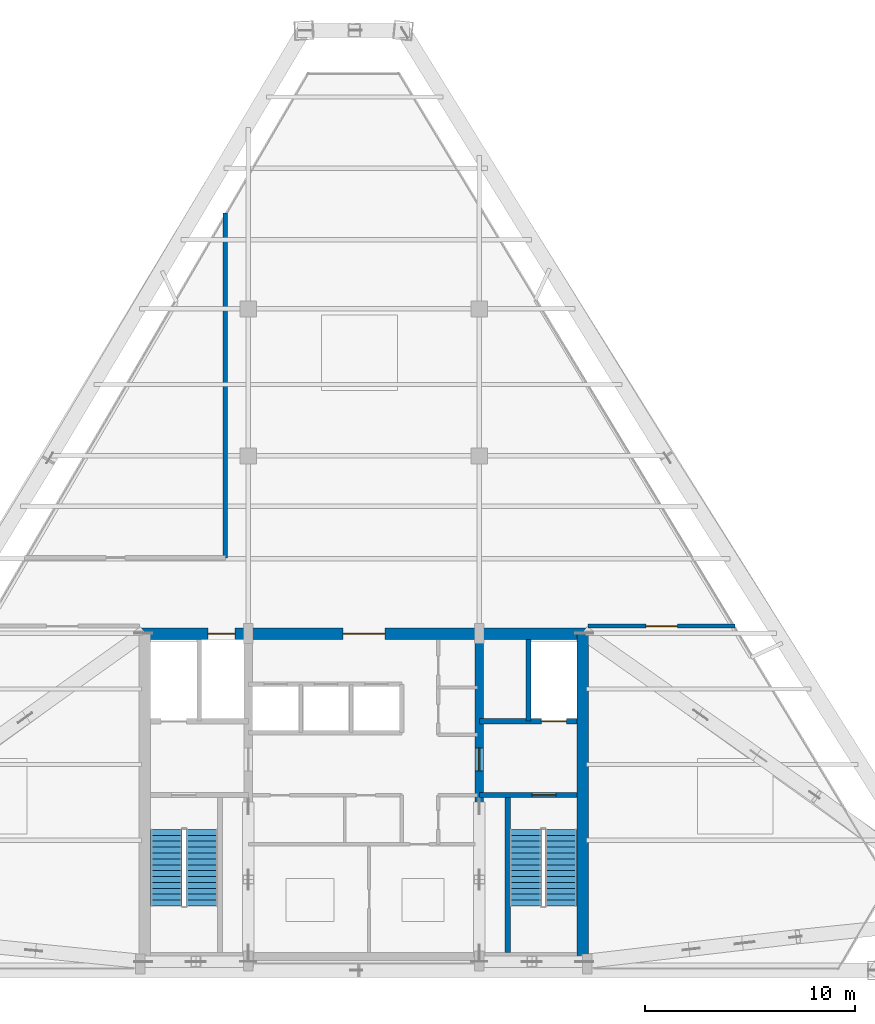
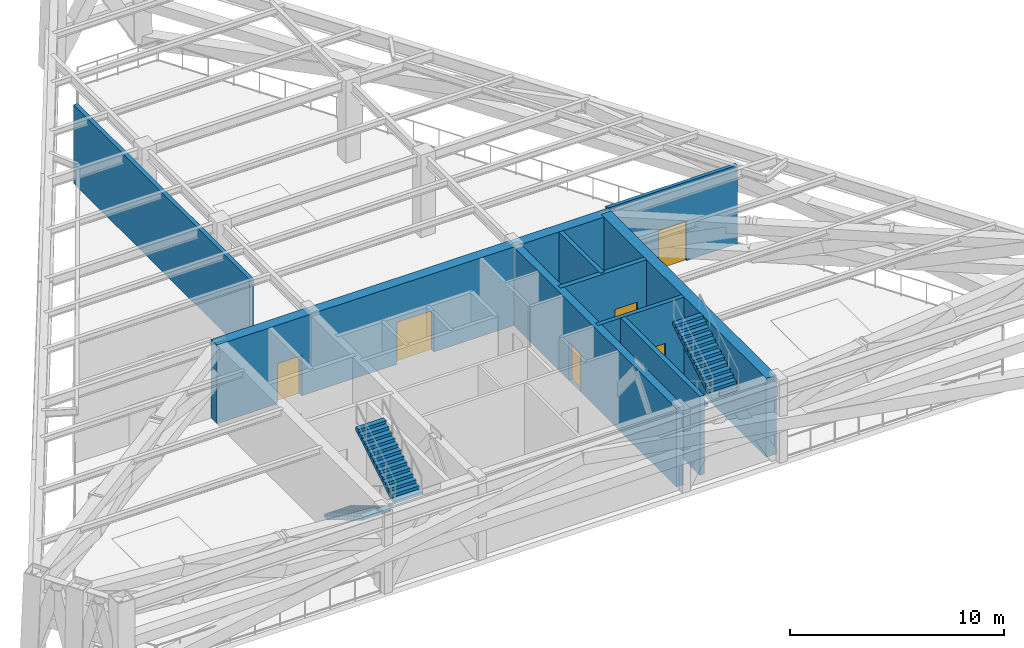
# One storey, part 7 of 9: 9 walls, 6 doors, 4 stair flights, 6 openings, 2 elements without a shape of their own.
"""IFC4 building model written with IfcOpenShell, lengths in metres."""

from ifc_helpers import new_model, si_unit, direction, frame, frame_2d, origin, place, context, subcontext, project, spatial, polyline, rectangle, outline, extrude, source, transform, mapped, material, layer, layer_set, type_object, type_shapes, element, fill, aggregate, save


model = new_model("IFC4")

# Units and contexts
model_context = context("Model", 3, precision=1e-05, world=origin(), true_north=direction((0.0, 1.0)))
body_context = subcontext(model_context, "Body", "Model", "MODEL_VIEW")
ifc_project = project(units=[si_unit("LENGTHUNIT", "METRE"), si_unit("AREAUNIT", "SQUARE_METRE"), si_unit("VOLUMEUNIT", "CUBIC_METRE"), si_unit("PLANEANGLEUNIT", "RADIAN"), si_unit("MASSUNIT", "GRAM", prefix="KILO")], contexts=[model_context])

# Site, building, storey
site_placement = place(None, origin())
site = spatial("IfcSite", under=ifc_project, at=site_placement, CompositionType="ELEMENT")
building_placement = place(site_placement, origin())
building = spatial("IfcBuilding", under=site, at=building_placement, Name="Varnakhor Terracotta Tower", CompositionType="ELEMENT")
storey_placement = place(building_placement, frame((0.0, 0.0, 257.949951171875)))
storey = spatial("IfcBuildingStorey", under=building, at=storey_placement, Name="L67", CompositionType="ELEMENT", Elevation=257.949951171875)

# Wall, openings, doors
ifc_material_1 = material(Name="Concrete C50/60", Category="concrete")
ifc_layer_1 = layer(ifc_material_1, 0.550048828125, Name="Concrete C50/60")
ifc_layer_set_1 = layer_set([ifc_layer_1], Name="Concrete C50/60")
wall_type_1 = type_object("IfcWallType", Name="WAL-CORE-550", PredefinedType="SHEAR", material=ifc_layer_set_1)
wall_1_placement = place(storey_placement, frame((-10.699951171875, 16.02490234375, 0.0), z_axis=(0.0, 0.0, 1.0), x_axis=(1.0, 0.0, 0.0)))
wall_1 = element("IfcWall", 1, at=wall_1_placement, inside=storey, type_object=wall_type_1, Name="L67 North Core Shear Wall", PredefinedType="SHEAR", context=body_context, shape_type="SweptSolid", body=[
    extrude(rectangle(XDim=21.39990234375, YDim=0.550048828125, at=frame_2d((10.699951171875, 0.0))), origin(), (0.0, 0.0, 1.0), 4.489990234375),
])
opening_1_placement = place(wall_1_placement, frame((3.27001953125, 0.0, 0.0)))
opening_1 = element("IfcOpeningElement", 2, at=opening_1_placement, cuts=wall_1, Name="Opening LD-03", PredefinedType="OPENING", context=body_context, shape_type="SweptSolid", body=[
    extrude(rectangle(XDim=1.300048828125, YDim=2.300048828125, at=frame_2d((0.64990234375, 1.14990234375))), frame((0.0, 0.28515625, 0.0), z_axis=(0.0, -1.0, 0.0), x_axis=(1.0, 0.0, 0.0)), (0.0, 0.0, 1.0), 0.570068359375),
])
opening_2_placement = place(wall_1_placement, frame((9.699951171875, 0.0, 0.0)))
opening_2 = element("IfcOpeningElement", 3, at=opening_2_placement, cuts=wall_1, Name="Opening DR-32", PredefinedType="OPENING", context=body_context, shape_type="SweptSolid", body=[
    extrude(rectangle(XDim=2.0, YDim=2.39990234375, at=frame_2d((1.0, 1.199951171875))), frame((0.0, 0.28515625, 0.0), z_axis=(0.0, -1.0, 0.0), x_axis=(1.0, 0.0, 0.0)), (0.0, 0.0, 1.0), 0.570068359375),
])
ifc_material_2 = material(Name="Heavy-Duty Goods Sliding Lift Landing Door", Category="steel")
door_type_1 = type_object("IfcDoorType", Name="LD-SRV-1300X2300", OperationType="NOTDEFINED", PredefinedType="DOOR", material=ifc_material_2)
shared_shape_1 = source(origin(), body_context, "Body", "SweptSolid", [
    extrude(rectangle(XDim=1.300048828125, YDim=2.300048828125, at=frame_2d((0.64990234375, 1.14990234375))), frame((0.0, 0.02490234375, 0.0), z_axis=(0.0, -1.0, 0.0), x_axis=(1.0, 0.0, 0.0)), (0.0, 0.0, 1.0), 0.050048828125),
])
type_shapes(door_type_1, [shared_shape_1])
door_1_placement = place(opening_1_placement, origin())
door_1 = element("IfcDoor", 4, at=door_1_placement, inside=storey, type_object=door_type_1, Name="L67 Service Lift SVL-1 Landing Door", OperationType="SLIDING_TO_RIGHT", OverallHeight=2.300048828125, OverallWidth=1.300048828125, PredefinedType="DOOR", context=body_context, shape_type="MappedRepresentation", body=[
    mapped(shared_shape_1, transform((0.0, 0.0, 0.0), scale=1.0)),
])
fill(opening_1, door_1)
ifc_material_3 = material(Name="Acoustic Double Assembly Fire Door", Category="wood")
door_type_2 = type_object("IfcDoorType", Name="DR-HALL-2000X2400", OperationType="NOTDEFINED", PredefinedType="DOOR", material=ifc_material_3)
shared_shape_2 = source(origin(), body_context, "Body", "SweptSolid", [
    extrude(rectangle(XDim=2.0, YDim=2.39990234375, at=frame_2d((1.0, 1.199951171875))), frame((0.0, 0.02490234375, 0.0), z_axis=(0.0, -1.0, 0.0), x_axis=(1.0, 0.0, 0.0)), (0.0, 0.0, 1.0), 0.050048828125),
])
type_shapes(door_type_2, [shared_shape_2])
door_2_placement = place(opening_2_placement, origin())
door_2 = element("IfcDoor", 5, at=door_2_placement, inside=storey, type_object=door_type_2, Name="L67 Core Main Lobby Double Door", OperationType="DOUBLE_DOOR_SINGLE_SWING", OverallHeight=2.39990234375, OverallWidth=2.0, PredefinedType="DOOR", context=body_context, shape_type="MappedRepresentation", body=[
    mapped(shared_shape_2, transform((0.0, 0.0, 0.0), scale=1.0)),
])
fill(opening_2, door_2)

# Wall
wall_2_placement = place(storey_placement, frame((10.425048828125, 0.574951171875, 0.0), z_axis=(0.0, 0.0, 1.0), x_axis=(0.0, 1.0, 0.0)))
element("IfcWall", 6, at=wall_2_placement, inside=storey, type_object=wall_type_1, Name="L67 East Core Shear Wall", PredefinedType="SHEAR", context=body_context, shape_type="SweptSolid", body=[
    extrude(rectangle(XDim=15.449951171875, YDim=0.550048828125, at=frame_2d((7.72509765625, 0.0))), origin(), (0.0, 0.0, 1.0), 4.489990234375),
])

# Wall, opening, door
ifc_layer_2 = layer(ifc_material_1, 0.39990234375, Name="Concrete C50/60")
ifc_layer_set_2 = layer_set([ifc_layer_2], Name="Concrete C50/60")
wall_type_2 = type_object("IfcWallType", Name="WAL-CORE-WEB-400", PredefinedType="SHEAR", material=ifc_layer_set_2)
wall_3_placement = place(storey_placement, frame((5.5, 0.574951171875, 0.0), z_axis=(0.0, 0.0, 1.0), x_axis=(0.0, 1.0, 0.0)))
wall_3 = element("IfcWall", 7, at=wall_3_placement, inside=storey, type_object=wall_type_2, Name="L67 East Core Web Shear Wall", PredefinedType="SHEAR", context=body_context, shape_type="SweptSolid", body=[
    extrude(rectangle(XDim=15.449951171875, YDim=0.39990234375, at=frame_2d((7.72509765625, 0.0))), origin(), (0.0, 0.0, 1.0), 4.489990234375),
])
opening_3_placement = place(wall_3_placement, frame((8.925048828125, 0.0, 0.0)))
opening_3 = element("IfcOpeningElement", 8, at=opening_3_placement, cuts=wall_3, Name="Opening DR-25", PredefinedType="OPENING", context=body_context, shape_type="SweptSolid", body=[
    extrude(rectangle(XDim=1.10009765625, YDim=2.199951171875, at=frame_2d((0.550048828125, 1.10009765625))), frame((0.0, 0.2099609375, 0.0), z_axis=(0.0, -1.0, 0.0), x_axis=(1.0, 0.0, 0.0)), (0.0, 0.0, 1.0), 0.419921875),
])
ifc_material_4 = material(Name="Firefighting Lobby Self-Closing Fire Door", Category="steel")
door_type_3 = type_object("IfcDoorType", Name="DR-FFL-1100X2200", OperationType="NOTDEFINED", PredefinedType="DOOR", material=ifc_material_4)
shared_shape_3 = source(origin(), body_context, "Body", "SweptSolid", [
    extrude(rectangle(XDim=1.10009765625, YDim=2.199951171875, at=frame_2d((0.550048828125, 1.10009765625))), frame((0.0, 0.02490234375, 0.0), z_axis=(0.0, -1.0, 0.0), x_axis=(1.0, 0.0, 0.0)), (0.0, 0.0, 1.0), 0.050048828125),
])
type_shapes(door_type_3, [shared_shape_3])
door_3_placement = place(opening_3_placement, origin())
door_3 = element("IfcDoor", 9, at=door_3_placement, inside=storey, type_object=door_type_3, Name="L67 East Firefighting Lobby Door", OperationType="SINGLE_SWING_LEFT", OverallHeight=2.199951171875, OverallWidth=1.10009765625, PredefinedType="DOOR", context=body_context, shape_type="MappedRepresentation", body=[
    mapped(shared_shape_3, transform((0.0, 0.0, 0.0), scale=1.0)),
])
fill(opening_3, door_3)

ifc_material_5 = material(Name="Fire-Rated Gypsum Stud Partition", Category="gypsum")
ifc_layer_3 = layer(ifc_material_5, 0.18505859375, Name="Fire-Rated Gypsum Stud Partition")
ifc_layer_set_3 = layer_set([ifc_layer_3], Name="Fire-Rated Gypsum Stud Partition")
wall_type_3 = type_object("IfcWallType", Name="WAL-CORR-185", PredefinedType="PARTITIONING", material=ifc_layer_set_3)
wall_4_placement = place(storey_placement, frame((10.679931640625, 16.39990234375, 0.0), z_axis=(0.0, 0.0, 1.0), x_axis=(1.0, 0.0, 0.0)))
wall_4 = element("IfcWall", 10, at=wall_4_placement, inside=storey, type_object=wall_type_3, Name="L67 East Plant Wall", PredefinedType="PARTITIONING", context=body_context, shape_type="SweptSolid", body=[
    extrude(rectangle(XDim=6.9970703125, YDim=0.18505859375, at=frame_2d((3.49853515625, 0.0))), origin(), (0.0, 0.0, 1.0), 4.48193359375),
])
opening_4_placement = place(wall_4_placement, frame((2.74853515625, 0.0, 0.0)))
opening_4 = element("IfcOpeningElement", 11, at=opening_4_placement, cuts=wall_4, Name="Opening DR-30", PredefinedType="OPENING", context=body_context, shape_type="SweptSolid", body=[
    extrude(rectangle(XDim=1.5, YDim=2.25, at=frame_2d((0.75, 1.125))), frame((0.0, 0.1025390625, 0.0), z_axis=(0.0, -1.0, 0.0), x_axis=(1.0, 0.0, 0.0)), (0.0, 0.0, 1.0), 0.205078125),
])
ifc_material_6 = material(Name="Double Acoustic Conference Room Door", Category="wood")
door_type_4 = type_object("IfcDoorType", Name="DR-MEET-1500X2250", OperationType="NOTDEFINED", PredefinedType="DOOR", material=ifc_material_6)
shared_shape_4 = source(origin(), body_context, "Body", "SweptSolid", [
    extrude(rectangle(XDim=1.5, YDim=2.25, at=frame_2d((0.75, 1.125))), frame((0.0, 0.02490234375, 0.0), z_axis=(0.0, -1.0, 0.0), x_axis=(1.0, 0.0, 0.0)), (0.0, 0.0, 1.0), 0.050048828125),
])
type_shapes(door_type_4, [shared_shape_4])
door_4_placement = place(opening_4_placement, origin())
door_4 = element("IfcDoor", 12, at=door_4_placement, inside=storey, type_object=door_type_4, Name="L67 East Electrical Room Door", OperationType="DOUBLE_DOOR_SINGLE_SWING", OverallHeight=2.25, OverallWidth=1.5, PredefinedType="DOOR", context=body_context, shape_type="MappedRepresentation", body=[
    mapped(shared_shape_4, transform((0.0, 0.0, 0.0), scale=1.0)),
])
fill(opening_4, door_4)

ifc_material_7 = material(Name="Concrete C40/50", Category="concrete")
ifc_layer_4 = layer(ifc_material_7, 0.219970703125, Name="Concrete C40/50")
ifc_layer_set_4 = layer_set([ifc_layer_4], Name="Concrete C40/50")
wall_type_4 = type_object("IfcWallType", Name="WAL-FFLOBBY-220", PredefinedType="SOLIDWALL", material=ifc_layer_set_4)
wall_5_placement = place(storey_placement, frame((10.14990234375, 8.35009765625, 0.0), z_axis=(0.0, 0.0, 1.0), x_axis=(-1.0, 0.0, 0.0)))
wall_5 = element("IfcWall", 13, at=wall_5_placement, inside=storey, type_object=wall_type_4, Name="L67 East Firefighting Lobby Stair Wall", PredefinedType="SOLIDWALL", context=body_context, shape_type="SweptSolid", body=[
    extrude(rectangle(XDim=4.64990234375, YDim=0.219970703125, at=frame_2d((2.324951171875, 0.0))), origin(), (0.0, 0.0, 1.0), 4.489990234375),
])
opening_5_placement = place(wall_5_placement, frame((1.0, 0.0, 0.0)))
opening_5 = element("IfcOpeningElement", 14, at=opening_5_placement, cuts=wall_5, Name="Opening DR-34", PredefinedType="OPENING", context=body_context, shape_type="SweptSolid", body=[
    extrude(rectangle(XDim=1.14990234375, YDim=2.199951171875, at=frame_2d((0.574951171875, 1.10009765625))), frame((0.0, 0.1201171875, 0.0), z_axis=(0.0, -1.0, 0.0), x_axis=(1.0, 0.0, 0.0)), (0.0, 0.0, 1.0), 0.239990234375),
])
ifc_material_8 = material(Name="Self-Closing Smoke-Sealed Steel Fire Door", Category="steel")
door_type_5 = type_object("IfcDoorType", Name="DR-STAIR-1150X2200", OperationType="NOTDEFINED", PredefinedType="DOOR", material=ifc_material_8)
shared_shape_5 = source(origin(), body_context, "Body", "SweptSolid", [
    extrude(rectangle(XDim=1.14990234375, YDim=2.199951171875, at=frame_2d((0.574951171875, 1.10009765625))), frame((0.0, 0.02490234375, 0.0), z_axis=(0.0, -1.0, 0.0), x_axis=(1.0, 0.0, 0.0)), (0.0, 0.0, 1.0), 0.050048828125),
])
type_shapes(door_type_5, [shared_shape_5])
door_5_placement = place(opening_5_placement, origin())
door_5 = element("IfcDoor", 15, at=door_5_placement, inside=storey, type_object=door_type_5, Name="L67 Exit Stair ST-2 Fire Door", OperationType="SINGLE_SWING_RIGHT", OverallHeight=2.199951171875, OverallWidth=1.14990234375, PredefinedType="DOOR", context=body_context, shape_type="MappedRepresentation", body=[
    mapped(shared_shape_5, transform((0.0, 0.0, 0.0), scale=1.0)),
])
fill(opening_5, door_5)

# Walls
wall_6_placement = place(storey_placement, frame((-6.60009765625, 19.64990234375, 0.0), z_axis=(0.0, 0.0, 1.0), x_axis=(0.0, 1.0, 0.0)))
element("IfcWall", 16, at=wall_6_placement, inside=storey, type_object=wall_type_4, Name="L67 Refuge Plant Firewall", PredefinedType="SOLIDWALL", context=body_context, shape_type="SweptSolid", body=[
    extrude(rectangle(XDim=16.41455078125, YDim=0.219970703125, at=frame_2d((8.207275390625, 0.0))), origin(), (0.0, 0.0, 1.0), 4.48193359375),
])
ifc_layer_5 = layer(ifc_material_7, 0.219970703125, Name="Concrete C40/50")
ifc_layer_set_5 = layer_set([ifc_layer_5], Name="Concrete C40/50")
wall_type_5 = type_object("IfcWallType", Name="WAL-SHAFT-220", PredefinedType="SOLIDWALL", material=ifc_layer_set_5)
wall_7_placement = place(storey_placement, frame((7.840087890625, 11.8701171875, 0.0), z_axis=(0.0, 0.0, 1.0), x_axis=(0.0, 1.0, 0.0)))
element("IfcWall", 17, at=wall_7_placement, inside=storey, type_object=wall_type_5, Name="L67 Lift FFL-2 and Riser Divider Wall", PredefinedType="SOLIDWALL", context=body_context, shape_type="SweptSolid", body=[
    extrude(rectangle(XDim=3.8798828125, YDim=0.219970703125, at=frame_2d((1.93994140625, 0.0))), origin(), (0.0, 0.0, 1.0), 4.489990234375),
])
ifc_layer_6 = layer(ifc_material_7, 0.25, Name="Concrete C40/50")
ifc_layer_set_6 = layer_set([ifc_layer_6], Name="Concrete C40/50")
wall_type_6 = type_object("IfcWallType", Name="WAL-SHAFT-250", PredefinedType="SOLIDWALL", material=ifc_layer_set_6)
wall_8_placement = place(storey_placement, frame((6.85009765625, 0.85009765625, 0.0), z_axis=(0.0, 0.0, 1.0), x_axis=(0.0, 1.0, 0.0)))
element("IfcWall", 18, at=wall_8_placement, inside=storey, type_object=wall_type_6, Name="L67 Stair ST-2 Bearing Shaft Wall", PredefinedType="SOLIDWALL", context=body_context, shape_type="SweptSolid", body=[
    extrude(rectangle(XDim=7.5, YDim=0.25, at=frame_2d((3.75, 0.0))), origin(), (0.0, 0.0, 1.0), 4.489990234375),
])

# Wall, opening, door
wall_9_placement = place(storey_placement, frame((10.14990234375, 11.8701171875, 0.0), z_axis=(0.0, 0.0, 1.0), x_axis=(-1.0, 0.0, 0.0)))
wall_9 = element("IfcWall", 19, at=wall_9_placement, inside=storey, type_object=wall_type_6, Name="L67 Lift FFL-2 Shaft Front Wall", PredefinedType="SOLIDWALL", context=body_context, shape_type="SweptSolid", body=[
    extrude(rectangle(XDim=4.64990234375, YDim=0.25, at=frame_2d((2.324951171875, 0.0))), origin(), (0.0, 0.0, 1.0), 4.489990234375),
])
opening_6_placement = place(wall_9_placement, frame((0.5, 0.0, 0.0)))
opening_6 = element("IfcOpeningElement", 20, at=opening_6_placement, cuts=wall_9, Name="Opening LD-02", PredefinedType="OPENING", context=body_context, shape_type="SweptSolid", body=[
    extrude(rectangle(XDim=1.199951171875, YDim=2.25, at=frame_2d((0.60009765625, 1.125))), frame((0.0, 0.135009765625, 0.0), z_axis=(0.0, -1.0, 0.0), x_axis=(1.0, 0.0, 0.0)), (0.0, 0.0, 1.0), 0.27001953125),
])
ifc_material_9 = material(Name="Firefighting Stretcher Sliding Lift Landing Door", Category="steel")
door_type_6 = type_object("IfcDoorType", Name="LD-FFL-1200X2250", OperationType="NOTDEFINED", PredefinedType="DOOR", material=ifc_material_9)
shared_shape_6 = source(origin(), body_context, "Body", "SweptSolid", [
    extrude(rectangle(XDim=1.199951171875, YDim=2.25, at=frame_2d((0.60009765625, 1.125))), frame((0.0, 0.02490234375, 0.0), z_axis=(0.0, -1.0, 0.0), x_axis=(1.0, 0.0, 0.0)), (0.0, 0.0, 1.0), 0.050048828125),
])
type_shapes(door_type_6, [shared_shape_6])
door_6_placement = place(opening_6_placement, origin())
door_6 = element("IfcDoor", 21, at=door_6_placement, inside=storey, type_object=door_type_6, Name="L67 Firefighting Lift FFL-2 Landing Door", OperationType="SLIDING_TO_RIGHT", OverallHeight=2.25, OverallWidth=1.199951171875, PredefinedType="DOOR", context=body_context, shape_type="MappedRepresentation", body=[
    mapped(shared_shape_6, transform((0.0, 0.0, 0.0), scale=1.0)),
])
fill(opening_6, door_6)

# Stair, stair flights
stair_type = type_object("IfcStairType", Name="STR-CORE-HOTEL-1500", PredefinedType="HALF_TURN_STAIR", material=ifc_material_7)
stair_1_placement = place(storey_placement, origin())
stair_1 = element("IfcStair", 22, at=stair_1_placement, inside=storey, type_object=stair_type, Name="L67 Core Exit Stair ST-1", PredefinedType="HALF_TURN_STAIR")
stair_flight_type = type_object("IfcStairFlightType", Name="FLT-HOTEL-1500", PredefinedType="STRAIGHT", material=ifc_material_7)
stair_flight_1_placement = place(storey_placement, frame((-9.39990234375, 6.7099609375, 0.0), z_axis=(0.0, 0.0, 1.0), x_axis=(0.0, -1.0, 0.0)))
stair_flight_1 = element("IfcStairFlight", 23, at=stair_flight_1_placement, type_object=stair_flight_type, Name="ST-1 flight 1", NumberOfRisers=14, NumberOfTreads=13, PredefinedType="STRAIGHT", RiserHeight=0.167857143, TreadLength=0.28, context=body_context, shape_type="SweptSolid", body=[
    extrude(outline(polyline([(0.0, 0.0), (0.0, 0.16796875), (0.280029296875, 0.16796875), (0.280029296875, 0.335693359375), (0.56005859375, 0.335693359375), (0.56005859375, 0.503662109375), (0.840087890625, 0.503662109375), (0.840087890625, 0.67138671875), (1.1201171875, 0.67138671875), (1.1201171875, 0.83935546875), (1.39990234375, 0.83935546875), (1.39990234375, 1.007080078125), (1.679931640625, 1.007080078125), (1.679931640625, 1.175048828125), (1.9599609375, 1.175048828125), (1.9599609375, 1.3427734375), (2.239990234375, 1.3427734375), (2.239990234375, 1.5107421875), (2.52001953125, 1.5107421875), (2.52001953125, 1.678466796875), (2.800048828125, 1.678466796875), (2.800048828125, 1.846435546875), (3.080078125, 1.846435546875), (3.080078125, 2.014404296875), (3.360107421875, 2.014404296875), (3.360107421875, 2.18212890625), (3.639892578125, 2.18212890625), (3.639892578125, 2.35009765625), (3.639892578125, 1.99560546875), (0.31103515625, 0.0), (0.0, 0.0)])), frame((0.0, 0.75, 0.0), z_axis=(0.0, -1.0, 0.0), x_axis=(1.0, 0.0, 0.0)), (0.0, 0.0, 1.0), 1.5),
])
stair_flight_2_placement = place(storey_placement, frame((-7.699951171875, 3.070068359375, 2.35009765625), z_axis=(0.0, 0.0, 1.0), x_axis=(0.0, 1.0, 0.0)))
stair_flight_2 = element("IfcStairFlight", 24, at=stair_flight_2_placement, type_object=stair_flight_type, Name="ST-1 flight 2", NumberOfRisers=14, NumberOfTreads=13, PredefinedType="STRAIGHT", RiserHeight=0.167857143, TreadLength=0.28, context=body_context, shape_type="SweptSolid", body=[
    extrude(outline(polyline([(0.0, 0.0), (0.0, 0.16796875), (0.280029296875, 0.16796875), (0.280029296875, 0.335693359375), (0.56005859375, 0.335693359375), (0.56005859375, 0.503662109375), (0.840087890625, 0.503662109375), (0.840087890625, 0.67138671875), (1.1201171875, 0.67138671875), (1.1201171875, 0.83935546875), (1.39990234375, 0.83935546875), (1.39990234375, 1.007080078125), (1.679931640625, 1.007080078125), (1.679931640625, 1.175048828125), (1.9599609375, 1.175048828125), (1.9599609375, 1.3427734375), (2.239990234375, 1.3427734375), (2.239990234375, 1.5107421875), (2.52001953125, 1.5107421875), (2.52001953125, 1.678466796875), (2.800048828125, 1.678466796875), (2.800048828125, 1.846435546875), (3.080078125, 1.846435546875), (3.080078125, 2.014404296875), (3.360107421875, 2.014404296875), (3.360107421875, 2.18212890625), (3.639892578125, 2.18212890625), (3.639892578125, 2.35009765625), (3.639892578125, 1.99560546875), (0.31103515625, 0.0), (0.0, 0.0)])), frame((0.0, 0.75, 0.0), z_axis=(0.0, -1.0, 0.0), x_axis=(1.0, 0.0, 0.0)), (0.0, 0.0, 1.0), 1.5),
])
aggregate(stair_1, [stair_flight_1, stair_flight_2])

stair_2_placement = place(storey_placement, origin())
stair_2 = element("IfcStair", 25, at=stair_2_placement, inside=storey, type_object=stair_type, Name="L67 Core Exit Stair ST-2", PredefinedType="HALF_TURN_STAIR")
stair_flight_3_placement = place(storey_placement, frame((7.699951171875, 6.7099609375, 0.0), z_axis=(0.0, 0.0, 1.0), x_axis=(0.0, -1.0, 0.0)))
stair_flight_3 = element("IfcStairFlight", 26, at=stair_flight_3_placement, type_object=stair_flight_type, Name="ST-2 flight 1", NumberOfRisers=14, NumberOfTreads=13, PredefinedType="STRAIGHT", RiserHeight=0.167857143, TreadLength=0.28, context=body_context, shape_type="SweptSolid", body=[
    extrude(outline(polyline([(0.0, 0.0), (0.0, 0.16796875), (0.280029296875, 0.16796875), (0.280029296875, 0.335693359375), (0.56005859375, 0.335693359375), (0.56005859375, 0.503662109375), (0.840087890625, 0.503662109375), (0.840087890625, 0.67138671875), (1.1201171875, 0.67138671875), (1.1201171875, 0.83935546875), (1.39990234375, 0.83935546875), (1.39990234375, 1.007080078125), (1.679931640625, 1.007080078125), (1.679931640625, 1.175048828125), (1.9599609375, 1.175048828125), (1.9599609375, 1.3427734375), (2.239990234375, 1.3427734375), (2.239990234375, 1.5107421875), (2.52001953125, 1.5107421875), (2.52001953125, 1.678466796875), (2.800048828125, 1.678466796875), (2.800048828125, 1.846435546875), (3.080078125, 1.846435546875), (3.080078125, 2.014404296875), (3.360107421875, 2.014404296875), (3.360107421875, 2.18212890625), (3.639892578125, 2.18212890625), (3.639892578125, 2.35009765625), (3.639892578125, 1.99560546875), (0.31103515625, 0.0), (0.0, 0.0)])), frame((0.0, 0.75, 0.0), z_axis=(0.0, -1.0, 0.0), x_axis=(1.0, 0.0, 0.0)), (0.0, 0.0, 1.0), 1.5),
])
stair_flight_4_placement = place(storey_placement, frame((9.39990234375, 3.070068359375, 2.35009765625), z_axis=(0.0, 0.0, 1.0), x_axis=(0.0, 1.0, 0.0)))
stair_flight_4 = element("IfcStairFlight", 27, at=stair_flight_4_placement, type_object=stair_flight_type, Name="ST-2 flight 2", NumberOfRisers=14, NumberOfTreads=13, PredefinedType="STRAIGHT", RiserHeight=0.167857143, TreadLength=0.28, context=body_context, shape_type="SweptSolid", body=[
    extrude(outline(polyline([(0.0, 0.0), (0.0, 0.16796875), (0.280029296875, 0.16796875), (0.280029296875, 0.335693359375), (0.56005859375, 0.335693359375), (0.56005859375, 0.503662109375), (0.840087890625, 0.503662109375), (0.840087890625, 0.67138671875), (1.1201171875, 0.67138671875), (1.1201171875, 0.83935546875), (1.39990234375, 0.83935546875), (1.39990234375, 1.007080078125), (1.679931640625, 1.007080078125), (1.679931640625, 1.175048828125), (1.9599609375, 1.175048828125), (1.9599609375, 1.3427734375), (2.239990234375, 1.3427734375), (2.239990234375, 1.5107421875), (2.52001953125, 1.5107421875), (2.52001953125, 1.678466796875), (2.800048828125, 1.678466796875), (2.800048828125, 1.846435546875), (3.080078125, 1.846435546875), (3.080078125, 2.014404296875), (3.360107421875, 2.014404296875), (3.360107421875, 2.18212890625), (3.639892578125, 2.18212890625), (3.639892578125, 2.35009765625), (3.639892578125, 1.99560546875), (0.31103515625, 0.0), (0.0, 0.0)])), frame((0.0, 0.75, 0.0), z_axis=(0.0, -1.0, 0.0), x_axis=(1.0, 0.0, 0.0)), (0.0, 0.0, 1.0), 1.5),
])
aggregate(stair_2, [stair_flight_3, stair_flight_4])

save(model, "model.ifc")
